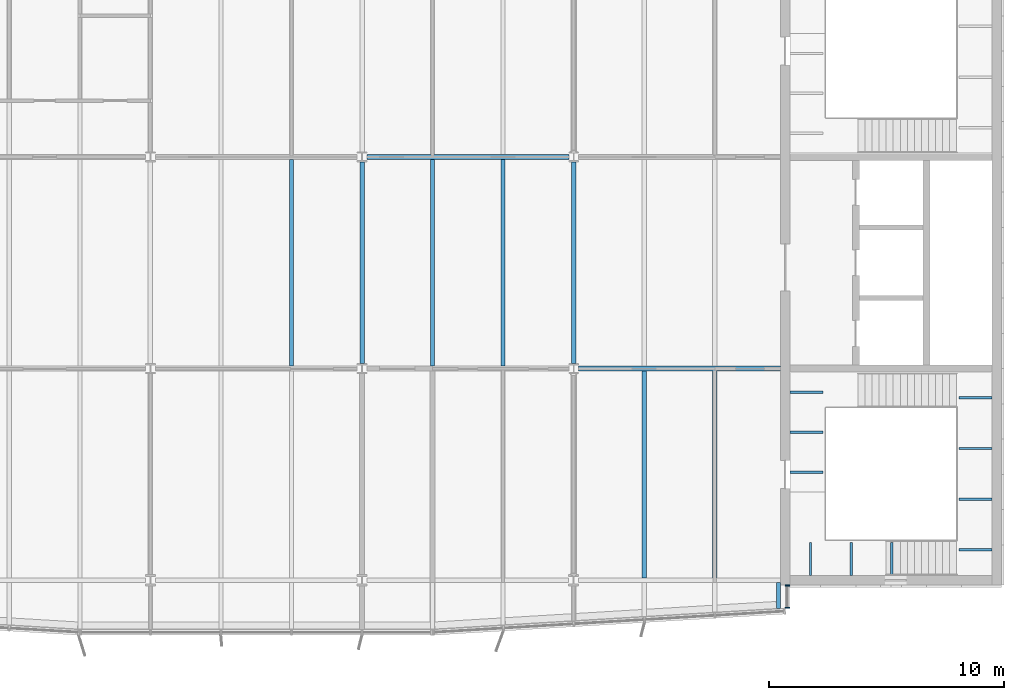
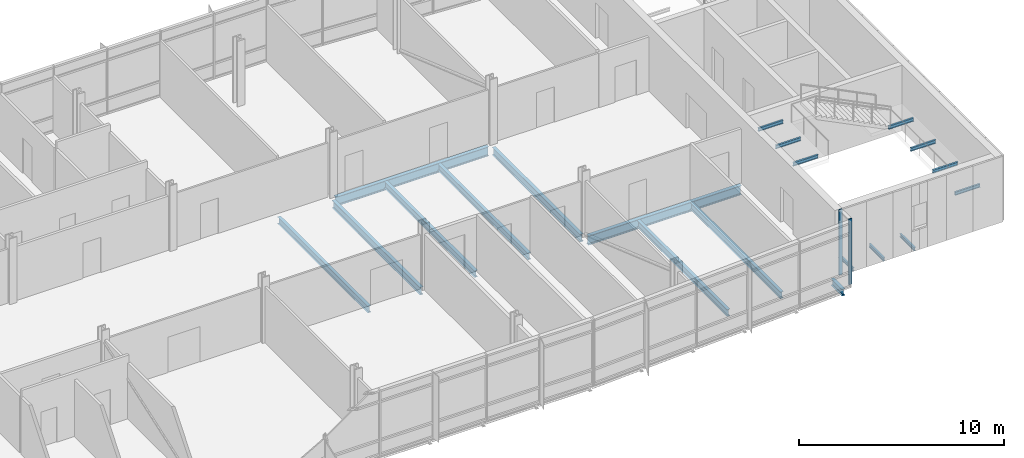
# One storey, part 6 of 17: 20 beams, 2 members, 1 element without a shape of its own.
"""IFC4 building model written with IfcOpenShell, lengths in metres."""

from ifc_helpers import new_model, si_unit, direction, frame, origin, origin_2d, place, context, subcontext, project, spatial, rectangle, i_section, extrude, material, material_profile, profile_set, type_object, element, aggregate, save


model = new_model("IFC4")

# Units and contexts
model_context = context("Model", 3, precision=1e-05, world=origin(), true_north=direction((0.0, 1.0)))
body_context = subcontext(model_context, "Body", "Model", "MODEL_VIEW")
ifc_project = project(units=[si_unit("LENGTHUNIT", "METRE"), si_unit("AREAUNIT", "SQUARE_METRE"), si_unit("VOLUMEUNIT", "CUBIC_METRE"), si_unit("PLANEANGLEUNIT", "RADIAN"), si_unit("MASSUNIT", "GRAM", prefix="KILO")], contexts=[model_context])

# Site, building, storey
site_placement = place(None, origin())
site = spatial("IfcSite", under=ifc_project, at=site_placement, CompositionType="ELEMENT")
building_placement = place(site_placement, origin())
building = spatial("IfcBuilding", under=site, at=building_placement, Name="Azimuth Sports and Learning Centre", CompositionType="ELEMENT")
storey_placement = place(building_placement, frame((0.0, 0.0, 40.199951171875)))
storey = spatial("IfcBuildingStorey", under=building, at=storey_placement, Name="L08", CompositionType="ELEMENT", Elevation=40.199951171875)

# Beams
ifc_material_1 = material(Name="Steel S355", Category="steel")
ifc_material_profile_1 = material_profile(ifc_material_1, i_section(OverallWidth=0.10009765625, OverallDepth=0.199951171875, WebThickness=0.005615234375, FlangeThickness=0.008544921875, FilletRadius=0.011962890625, at=origin_2d()), Name="IPE 200")
ifc_profile_set_1 = profile_set([ifc_material_profile_1], Name="Steel S355")
beam_type_1 = type_object("IfcBeamType", Name="Beam IPE 200", PredefinedType="BEAM", material=ifc_profile_set_1)
for number, where, z_axis, x_axis, name in (
    (1, (109.0732421875, 90.199951171875, -0.300048828125), (0.0, 1.0, 0.0), (-1.0, 0.0, 0.0), "Landing bracket E1 L08 435"),
    (2, (110.800048828125, 90.199951171875, -0.300048828125), (0.0, 1.0, 0.0), (-1.0, 0.0, 0.0), "Landing bracket E1 L08 436"),
    (3, (112.526611328125, 90.199951171875, -0.300048828125), (0.0, 1.0, 0.0), (-1.0, 0.0, 0.0), "Landing bracket E1 L08 437"),
    (4, (116.800048828125, 91.288818359375, 1.35009765625), (-1.0, 0.0, 0.0), (0.0, -1.0, 0.0), "Landing bracket E1 L08 438"),
    (5, (116.800048828125, 93.4462890625, 1.35009765625), (-1.0, 0.0, 0.0), (0.0, -1.0, 0.0), "Landing bracket E1 L08 439"),
    (6, (116.800048828125, 95.603759765625, 1.35009765625), (-1.0, 0.0, 0.0), (0.0, -1.0, 0.0), "Landing bracket E1 L08 440"),
    (7, (116.800048828125, 97.76123046875, 1.35009765625), (-1.0, 0.0, 0.0), (0.0, -1.0, 0.0), "Landing bracket E1 L08 441"),
    (8, (108.199951171875, 94.598388671875, 3.60009765625), (1.0, 0.0, 0.0), (0.0, 1.0, 0.0), "Landing bracket E1 L08 442"),
    (9, (108.199951171875, 96.294921875, 3.60009765625), (1.0, 0.0, 0.0), (0.0, 1.0, 0.0), "Landing bracket E1 L08 443"),
    (10, (108.199951171875, 97.99169921875, 3.60009765625), (1.0, 0.0, 0.0), (0.0, 1.0, 0.0), "Landing bracket E1 L08 444"),
):
    element("IfcBeam", number, at=place(storey_placement, frame(where, z_axis=z_axis, x_axis=x_axis)), inside=storey, type_object=beam_type_1, Name=name, PredefinedType="BEAM", context=body_context, shape_type="SweptSolid", body=[
        extrude(i_section(OverallWidth=0.10009765625, OverallDepth=0.199951171875, WebThickness=0.005615234375, FlangeThickness=0.008544921875, FilletRadius=0.011962890625, at=origin_2d()), origin(), (0.0, 0.0, 1.0), 1.41015625),
    ])
ifc_material_2 = material(Name="Steel S355", Category="steel")
ifc_material_profile_2 = material_profile(ifc_material_2, i_section(OverallWidth=0.18994140625, OverallDepth=0.449951171875, WebThickness=0.009521484375, FlangeThickness=0.0146484375, FilletRadius=0.02099609375, at=origin_2d()), Name="IPE 450")
ifc_profile_set_2 = profile_set([ifc_material_profile_2], Name="Steel S355")
beam_type_2 = type_object("IfcBeamType", Name="Beam IPE 450", PredefinedType="BEAM", material=ifc_profile_set_2)
for number, where, z_axis, x_axis, name in (
    (11, (90.0, 99.217529296875, -0.35498046875), (0.0, 1.0, 0.0), (-1.0, 0.0, 0.0), "Tower tie"),
    (12, (99.0, 99.217529296875, -0.35498046875), (0.0, 1.0, 0.0), (-1.0, 0.0, 0.0), "Tower tie"),
):
    element("IfcBeam", number, at=place(storey_placement, frame(where, z_axis=z_axis, x_axis=x_axis)), inside=storey, type_object=beam_type_2, Name=name, PredefinedType="BEAM", context=body_context, shape_type="SweptSolid", body=[
        extrude(i_section(OverallWidth=0.18994140625, OverallDepth=0.449951171875, WebThickness=0.009521484375, FlangeThickness=0.0146484375, FilletRadius=0.02099609375, at=origin_2d()), origin(), (0.0, 0.0, 1.0), 8.56494140625),
    ])
ifc_material_3 = material(Name="Steel S355", Category="steel")
ifc_material_profile_3 = material_profile(ifc_material_3, i_section(OverallWidth=0.2099609375, OverallDepth=0.550048828125, WebThickness=0.010986328125, FlangeThickness=0.01708984375, FilletRadius=0.02392578125, at=origin_2d()), Name="IPE 550")
ifc_profile_set_3 = profile_set([ifc_material_profile_3], Name="Steel S355")
beam_type_3 = type_object("IfcBeamType", Name="Beam IPE 550", PredefinedType="BEAM", material=ifc_profile_set_3)
beam_1_placement = place(storey_placement, frame((99.2060546875, 99.0, -0.405029296875), z_axis=(1.0, 0.0, 0.0), x_axis=(0.0, 1.0, 0.0)))
element("IfcBeam", 13, at=beam_1_placement, inside=storey, type_object=beam_type_3, Name="Tower girder L08", PredefinedType="BEAM", context=body_context, shape_type="SweptSolid", body=[
    extrude(i_section(OverallWidth=0.2099609375, OverallDepth=0.550048828125, WebThickness=0.010986328125, FlangeThickness=0.01708984375, FilletRadius=0.02392578125, at=origin_2d()), origin(), (0.0, 0.0, 1.0), 8.593994140625),
])
beam_2_placement = place(storey_placement, frame((90.2060546875, 108.0, -0.405029296875), z_axis=(1.0, 0.0, 0.0), x_axis=(0.0, 1.0, 0.0)))
element("IfcBeam", 14, at=beam_2_placement, inside=storey, type_object=beam_type_3, Name="Tower girder L08", PredefinedType="BEAM", context=body_context, shape_type="SweptSolid", body=[
    extrude(i_section(OverallWidth=0.2099609375, OverallDepth=0.550048828125, WebThickness=0.010986328125, FlangeThickness=0.01708984375, FilletRadius=0.02392578125, at=origin_2d()), origin(), (0.0, 0.0, 1.0), 8.587890625),
])
ifc_material_4 = material(Name="Steel S355", Category="steel")
ifc_material_profile_4 = material_profile(ifc_material_4, i_section(OverallWidth=0.179931640625, OverallDepth=0.39990234375, WebThickness=0.008544921875, FlangeThickness=0.013427734375, FilletRadius=0.02099609375, at=origin_2d()), Name="IPE 400")
ifc_profile_set_4 = profile_set([ifc_material_profile_4], Name="Steel S355")
beam_type_4 = type_object("IfcBeamType", Name="Cantilever stub IPE 400", PredefinedType="JOIST", material=ifc_profile_set_4)
beam_3_placement = place(storey_placement, frame((107.7099609375, 89.89501953125, -0.329833984375), z_axis=(0.0, -1.0, 0.0), x_axis=(1.0, 0.0, 0.0)))
element("IfcBeam", 15, at=beam_3_placement, inside=storey, type_object=beam_type_4, Name="Tower cantilever stub", PredefinedType="JOIST", context=body_context, shape_type="SweptSolid", body=[
    extrude(i_section(OverallWidth=0.179931640625, OverallDepth=0.39990234375, WebThickness=0.008544921875, FlangeThickness=0.013427734375, FilletRadius=0.02099609375, at=origin_2d()), origin(), (0.0, 0.0, 1.0), 1.092529296875),
])
ifc_material_5 = material(Name="Steel S355", Category="steel")
ifc_material_profile_5 = material_profile(ifc_material_5, i_section(OverallWidth=0.179931640625, OverallDepth=0.39990234375, WebThickness=0.008544921875, FlangeThickness=0.013427734375, FilletRadius=0.02099609375, at=origin_2d()), Name="IPE 400")
ifc_profile_set_5 = profile_set([ifc_material_profile_5], Name="Steel S355")
beam_type_5 = type_object("IfcBeamType", Name="Joist IPE 400", PredefinedType="JOIST", material=ifc_profile_set_5)
for number, where, z_axis, x_axis, name in (
    (16, (87.0, 99.10498046875, -0.329833984375), (0.0, 1.0, 0.0), (-1.0, 0.0, 0.0), "Tower joist"),
    (17, (93.0, 99.10498046875, -0.329833984375), (0.0, 1.0, 0.0), (-1.0, 0.0, 0.0), "Tower joist"),
    (18, (96.0, 99.10498046875, -0.329833984375), (0.0, 1.0, 0.0), (-1.0, 0.0, 0.0), "Tower joist"),
    (19, (102.0, 90.10498046875, -0.329833984375), (0.0, 1.0, 0.0), (-1.0, 0.0, 0.0), "Tower joist"),
    (20, (105.0, 90.10498046875, -0.329833984375), (0.0, 1.0, 0.0), (-1.0, 0.0, 0.0), "Tower joist"),
):
    element("IfcBeam", number, at=place(storey_placement, frame(where, z_axis=z_axis, x_axis=x_axis)), inside=storey, type_object=beam_type_5, Name=name, PredefinedType="JOIST", context=body_context, shape_type="SweptSolid", body=[
        extrude(i_section(OverallWidth=0.179931640625, OverallDepth=0.39990234375, WebThickness=0.008544921875, FlangeThickness=0.013427734375, FilletRadius=0.02099609375, at=origin_2d()), origin(), (0.0, 0.0, 1.0), 8.7900390625),
    ])

# Curtain wall, members
ifc_material_6 = material(Name="Aluminium and glass", Category="aluminium")
curtain_wall_type = type_object("IfcCurtainWallType", Name="Curtain wall tower return 180", PredefinedType="NOTDEFINED", material=ifc_material_6)
curtain_wall_placement = place(storey_placement, origin())
curtain_wall = element("IfcCurtainWall", 21, at=curtain_wall_placement, inside=storey, type_object=curtain_wall_type, Name="Curtain wall CW08-005", PredefinedType="NOTDEFINED")
ifc_material_7 = material(Name="Aluminium", Category="aluminium")
ifc_material_profile_6 = material_profile(ifc_material_7, rectangle(XDim=0.179931640625, YDim=0.06005859375, at=origin_2d()), Name="Mullion 60x180")
ifc_profile_set_6 = profile_set([ifc_material_profile_6], Name="Aluminium")
member_type = type_object("IfcMemberType", Name="Mullion 60x180", PredefinedType="MULLION", material=ifc_profile_set_6)
member_1_placement = place(storey_placement, frame((108.090087890625, 88.830078125, 0.0), z_axis=(0.0, 0.0, 1.0), x_axis=(-1.0, 0.0, 0.0)))
member_1 = element("IfcMember", 22, at=member_1_placement, type_object=member_type, Name="CW08-005 mullion 1", PredefinedType="MULLION", context=body_context, shape_type="SweptSolid", body=[
    extrude(rectangle(XDim=0.179931640625, YDim=0.06005859375, at=origin_2d()), origin(), (0.0, 0.0, 1.0), 3.900146484375),
])
member_2_placement = place(storey_placement, frame((108.090087890625, 89.77001953125, 0.0), z_axis=(0.0, 0.0, 1.0), x_axis=(-1.0, 0.0, 0.0)))
member_2 = element("IfcMember", 23, at=member_2_placement, type_object=member_type, Name="CW08-005 mullion 2", PredefinedType="MULLION", context=body_context, shape_type="SweptSolid", body=[
    extrude(rectangle(XDim=0.179931640625, YDim=0.06005859375, at=origin_2d()), origin(), (0.0, 0.0, 1.0), 3.900146484375),
])
aggregate(curtain_wall, [member_1, member_2])

save(model, "model.ifc")
